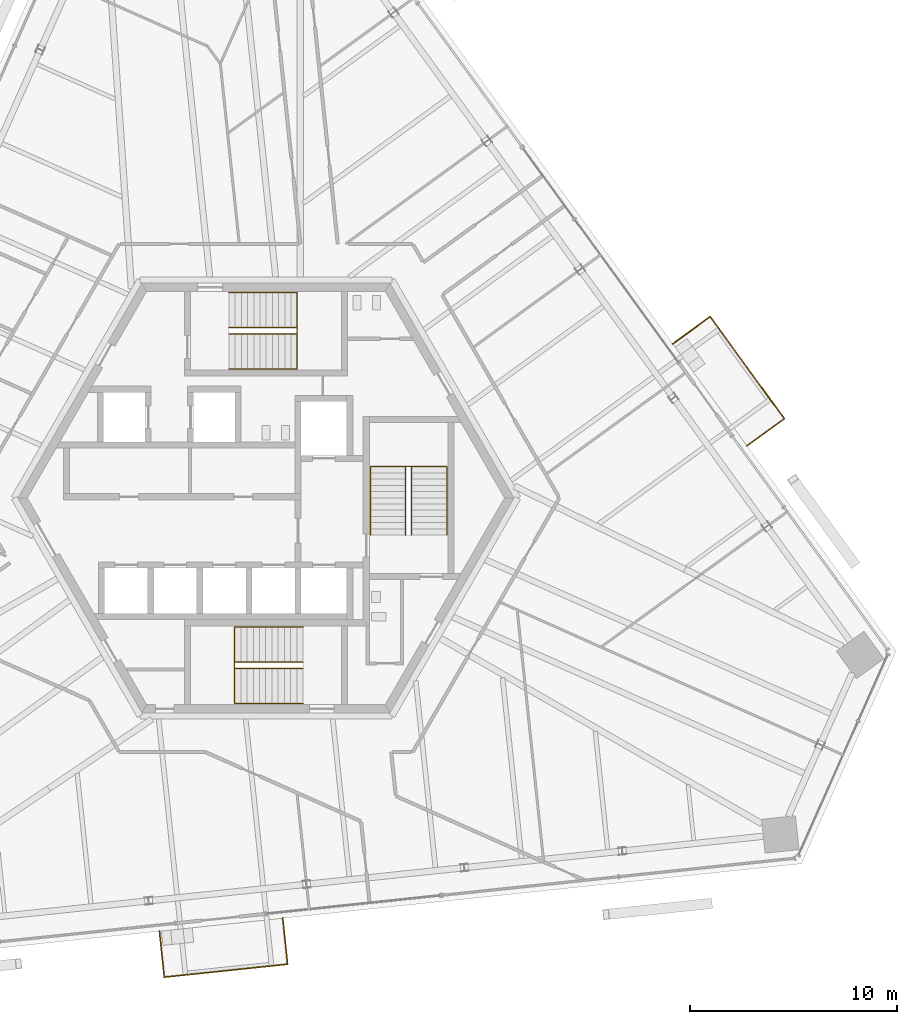
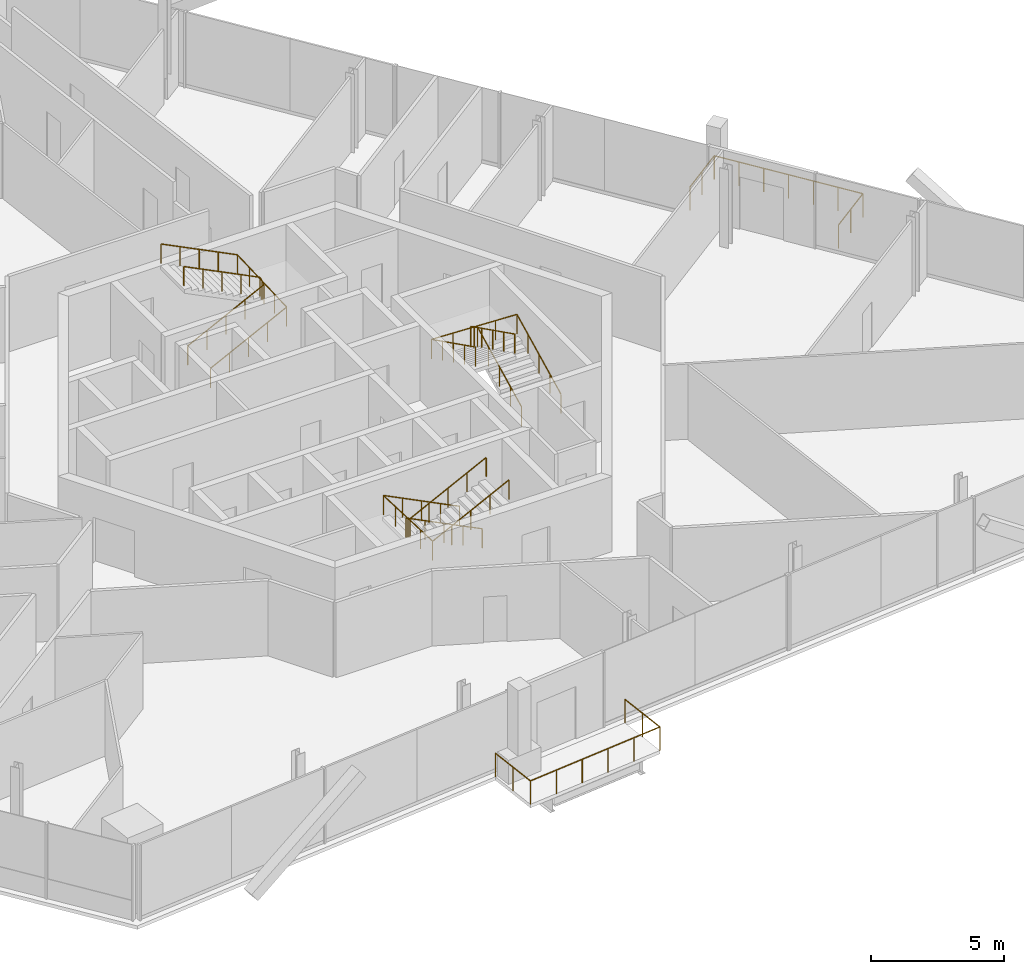
# One storey, part 16 of 19: 8 railings.
"""IFC4 building model written with IfcOpenShell, lengths in metres."""

from ifc_helpers import new_model, si_unit, direction, frame, origin, origin_2d, place, context, subcontext, project, spatial, circle, extrude, source, transform, mapped, material, type_object, element, save


model = new_model("IFC4")

# Units and contexts
model_context = context("Model", 3, precision=1e-05, world=origin(), true_north=direction((0.0, 1.0)))
body_context = subcontext(model_context, "Body", "Model", "MODEL_VIEW")
ifc_project = project(units=[si_unit("LENGTHUNIT", "METRE"), si_unit("AREAUNIT", "SQUARE_METRE"), si_unit("VOLUMEUNIT", "CUBIC_METRE"), si_unit("PLANEANGLEUNIT", "RADIAN"), si_unit("MASSUNIT", "GRAM", prefix="KILO")], contexts=[model_context])

# Site, building, storey
site_placement = place(None, origin())
site = spatial("IfcSite", under=ifc_project, at=site_placement, CompositionType="ELEMENT")
building_placement = place(site_placement, origin())
building = spatial("IfcBuilding", under=site, at=building_placement, Name="Triune Harvest Tower", CompositionType="ELEMENT")
storey_placement = place(building_placement, frame((0.0, 0.0, 223.300048828125)))
storey = spatial("IfcBuildingStorey", under=building, at=storey_placement, Name="L58", CompositionType="ELEMENT", Elevation=223.300048828125)

# Railings
ifc_material_1 = material(Name="Glass", Category="glass")
railing_type_1 = type_object("IfcRailingType", Name="GD-2 balcony guard 1100", PredefinedType="GUARDRAIL", material=ifc_material_1)
railing_1_placement = place(storey_placement, frame((23.263427734375, 2.52294921875, 0.0)))
element("IfcRailing", 1, at=railing_1_placement, inside=storey, type_object=railing_type_1, Name="Balcony guard B6-F1 L58.4", PredefinedType="GUARDRAIL", context=body_context, shape_type="SweptSolid", body=[
    extrude(circle(Radius=0.02392578125, at=origin_2d()), frame((0.0, 0.0, 1.076171875), z_axis=(0.809019457971, 0.587781861429, 0.0), x_axis=(-0.587781861429, 0.809019457971, 0.0)), (0.0, 0.0, 1.0), 2.234619140625),
    extrude(circle(Radius=0.02392578125, at=origin_2d()), frame((1.807861328125, 1.3134765625, 1.076171875), z_axis=(-0.587814656086, 0.808995630452, 0.0), x_axis=(-0.808995630452, -0.587814656086, 0.0)), (0.0, 0.0, 1.0), 6.099609375),
    extrude(circle(Radius=0.02392578125, at=origin_2d()), frame((-1.777587890625, 6.248046875, 1.076171875), z_axis=(-0.80903366712, -0.587762303544, 0.0), x_axis=(0.587762303544, -0.80903366712, 0.0)), (0.0, 0.0, 1.0), 2.234375),
    extrude(circle(Radius=0.02099609375, at=origin_2d()), origin(), (0.0, 0.0, 1.0), 1.052001953125),
    extrude(circle(Radius=0.02099609375, at=origin_2d()), frame((0.90380859375, 0.65673828125, 0.0)), (0.0, 0.0, 1.0), 1.052001953125),
    extrude(circle(Radius=0.02099609375, at=origin_2d()), frame((1.807861328125, 1.3134765625, 0.0)), (0.0, 0.0, 1.0), 1.052001953125),
    extrude(circle(Radius=0.02099609375, at=origin_2d()), frame((1.210205078125, 2.135986328125, 0.0)), (0.0, 0.0, 1.0), 1.052001953125),
    extrude(circle(Radius=0.02099609375, at=origin_2d()), frame((0.61279296875, 2.958251953125, 0.0)), (0.0, 0.0, 1.0), 1.052001953125),
    extrude(circle(Radius=0.02099609375, at=origin_2d()), frame((0.01513671875, 3.78076171875, 0.0)), (0.0, 0.0, 1.0), 1.052001953125),
    extrude(circle(Radius=0.02099609375, at=origin_2d()), frame((-0.58251953125, 4.603271484375, 0.0)), (0.0, 0.0, 1.0), 1.052001953125),
    extrude(circle(Radius=0.02099609375, at=origin_2d()), frame((-1.179931640625, 5.425537109375, 0.0)), (0.0, 0.0, 1.0), 1.052001953125),
    extrude(circle(Radius=0.02099609375, at=origin_2d()), frame((-1.777587890625, 6.248046875, 0.0)), (0.0, 0.0, 1.0), 1.052001953125),
    extrude(circle(Radius=0.02099609375, at=origin_2d()), frame((-2.681396484375, 5.59130859375, 0.0)), (0.0, 0.0, 1.0), 1.052001953125),
    extrude(circle(Radius=0.02099609375, at=origin_2d()), frame((-3.585205078125, 4.934814453125, 0.0)), (0.0, 0.0, 1.0), 1.052001953125),
])
ifc_material_2 = material(Name="Stainless steel AISI 316", Category="steel")
railing_type_2 = type_object("IfcRailingType", Name="Stair handrail", PredefinedType="HANDRAIL", material=ifc_material_2)
shared_shape_1 = source(origin(), body_context, "Body", "SweptSolid", [
    extrude(circle(Radius=0.02392578125, at=origin_2d()), frame((0.0, 0.0, 0.8759765625), z_axis=(0.894413956696, 0.0, 0.447240063129), x_axis=(0.0, 1.0, 0.0)), (0.0, 0.0, 1.0), 3.689697265625),
    extrude(circle(Radius=0.02392578125, at=origin_2d()), frame((3.300048828125, 0.0, 2.52587890625), z_axis=(0.0, 0.999180289278, 0.040481471304), x_axis=(-1.0, 0.0, 0.0)), (0.0, 0.0, 1.0), 3.702880859375),
    extrude(circle(Radius=0.02392578125, at=origin_2d()), frame((3.300048828125, 3.699951171875, 2.67578125), z_axis=(-0.894440424912, 0.0, 0.447187126696), x_axis=(0.0, -1.0, 0.0)), (0.0, 0.0, 1.0), 3.689453125),
    extrude(circle(Radius=0.02099609375, at=origin_2d()), origin(), (0.0, 0.0, 1.0), 0.851806640625),
    extrude(circle(Radius=0.02099609375, at=origin_2d()), frame((0.824951171875, 0.0, 0.41259765625)), (0.0, 0.0, 1.0), 0.851806640625),
    extrude(circle(Radius=0.02099609375, at=origin_2d()), frame((1.64990234375, 0.0, 0.8251953125)), (0.0, 0.0, 1.0), 0.851806640625),
    extrude(circle(Radius=0.02099609375, at=origin_2d()), frame((2.47509765625, 0.0, 1.237548828125)), (0.0, 0.0, 1.0), 0.851806640625),
    extrude(circle(Radius=0.02099609375, at=origin_2d()), frame((3.300048828125, 0.0, 1.650146484375)), (0.0, 0.0, 1.0), 0.851806640625),
    extrude(circle(Radius=0.02099609375, at=origin_2d()), frame((3.300048828125, 0.925048828125, 1.6875)), (0.0, 0.0, 1.0), 0.851806640625),
    extrude(circle(Radius=0.02099609375, at=origin_2d()), frame((3.300048828125, 1.85009765625, 1.72509765625)), (0.0, 0.0, 1.0), 0.851806640625),
    extrude(circle(Radius=0.02099609375, at=origin_2d()), frame((3.300048828125, 2.77490234375, 1.7626953125)), (0.0, 0.0, 1.0), 0.851806640625),
    extrude(circle(Radius=0.02099609375, at=origin_2d()), frame((3.300048828125, 3.699951171875, 1.800048828125)), (0.0, 0.0, 1.0), 0.851806640625),
    extrude(circle(Radius=0.02099609375, at=origin_2d()), frame((2.47509765625, 3.699951171875, 2.21240234375)), (0.0, 0.0, 1.0), 0.851806640625),
    extrude(circle(Radius=0.02099609375, at=origin_2d()), frame((1.64990234375, 3.699951171875, 2.625)), (0.0, 0.0, 1.0), 0.851806640625),
    extrude(circle(Radius=0.02099609375, at=origin_2d()), frame((0.824951171875, 3.699951171875, 3.03759765625)), (0.0, 0.0, 1.0), 0.851806640625),
    extrude(circle(Radius=0.02099609375, at=origin_2d()), frame((0.0, 3.699951171875, 3.449951171875)), (0.0, 0.0, 1.0), 0.851806640625),
])
railing_2_placement = place(storey_placement, frame((-1.7900390625, 6.239990234375, 0.14990234375)))
element("IfcRailing", 2, at=railing_2_placement, inside=storey, type_object=railing_type_2, Name="Exit stair north wall handrail", PredefinedType="HANDRAIL", context=body_context, shape_type="MappedRepresentation", body=[
    mapped(shared_shape_1, transform((0.0, 0.0, 0.0), scale=1.0)),
])
shared_shape_2 = source(origin(), body_context, "Body", "SweptSolid", [
    extrude(circle(Radius=0.02392578125, at=origin_2d()), frame((0.0, 0.0, 0.8759765625), z_axis=(0.894413956696, 0.0, 0.447240063129), x_axis=(0.0, 1.0, 0.0)), (0.0, 0.0, 1.0), 3.689697265625),
    extrude(circle(Radius=0.02392578125, at=origin_2d()), frame((3.300048828125, 0.0, 2.52587890625), z_axis=(0.0, 0.894572720946, 0.446922417137), x_axis=(-1.0, 0.0, 0.0)), (0.0, 0.0, 1.0), 0.33544921875),
    extrude(circle(Radius=0.02392578125, at=origin_2d()), frame((3.300048828125, 0.300048828125, 2.67578125), z_axis=(-0.894440424912, 0.0, 0.447187126696), x_axis=(0.0, -1.0, 0.0)), (0.0, 0.0, 1.0), 3.689453125),
    extrude(circle(Radius=0.02099609375, at=origin_2d()), origin(), (0.0, 0.0, 1.0), 0.851806640625),
    extrude(circle(Radius=0.02099609375, at=origin_2d()), frame((0.824951171875, 0.0, 0.41259765625)), (0.0, 0.0, 1.0), 0.851806640625),
    extrude(circle(Radius=0.02099609375, at=origin_2d()), frame((1.64990234375, 0.0, 0.8251953125)), (0.0, 0.0, 1.0), 0.851806640625),
    extrude(circle(Radius=0.02099609375, at=origin_2d()), frame((2.47509765625, 0.0, 1.237548828125)), (0.0, 0.0, 1.0), 0.851806640625),
    extrude(circle(Radius=0.02099609375, at=origin_2d()), frame((3.300048828125, 0.0, 1.650146484375)), (0.0, 0.0, 1.0), 0.851806640625),
    extrude(circle(Radius=0.02099609375, at=origin_2d()), frame((3.300048828125, 0.300048828125, 1.800048828125)), (0.0, 0.0, 1.0), 0.851806640625),
    extrude(circle(Radius=0.02099609375, at=origin_2d()), frame((2.47509765625, 0.300048828125, 2.21240234375)), (0.0, 0.0, 1.0), 0.851806640625),
    extrude(circle(Radius=0.02099609375, at=origin_2d()), frame((1.64990234375, 0.300048828125, 2.625)), (0.0, 0.0, 1.0), 0.851806640625),
    extrude(circle(Radius=0.02099609375, at=origin_2d()), frame((0.824951171875, 0.300048828125, 3.03759765625)), (0.0, 0.0, 1.0), 0.851806640625),
    extrude(circle(Radius=0.02099609375, at=origin_2d()), frame((0.0, 0.300048828125, 3.449951171875)), (0.0, 0.0, 1.0), 0.851806640625),
])
railing_3_placement = place(storey_placement, frame((-1.7900390625, 7.93994140625, 0.14990234375)))
element("IfcRailing", 3, at=railing_3_placement, inside=storey, type_object=railing_type_2, Name="Exit stair north centre handrail", PredefinedType="HANDRAIL", context=body_context, shape_type="MappedRepresentation", body=[
    mapped(shared_shape_2, transform((0.0, 0.0, 0.0), scale=1.0)),
])
shared_shape_3 = source(origin(), body_context, "Body", "SweptSolid", [
    extrude(circle(Radius=0.02392578125, at=origin_2d()), frame((0.0, 0.0, 0.8759765625), z_axis=(-0.894413956696, 0.0, 0.447240063129), x_axis=(0.0, -1.0, 0.0)), (0.0, 0.0, 1.0), 3.689697265625),
    extrude(circle(Radius=0.02392578125, at=origin_2d()), frame((-3.300048828125, 0.0, 2.52587890625), z_axis=(0.0, -0.999180289278, 0.040481471304), x_axis=(1.0, 0.0, 0.0)), (0.0, 0.0, 1.0), 3.702880859375),
    extrude(circle(Radius=0.02392578125, at=origin_2d()), frame((-3.300048828125, -3.699951171875, 2.67578125), z_axis=(0.894440424912, 0.0, 0.447187126696), x_axis=(0.0, 1.0, 0.0)), (0.0, 0.0, 1.0), 3.689453125),
    extrude(circle(Radius=0.02099609375, at=origin_2d()), origin(), (0.0, 0.0, 1.0), 0.851806640625),
    extrude(circle(Radius=0.02099609375, at=origin_2d()), frame((-0.824951171875, 0.0, 0.41259765625)), (0.0, 0.0, 1.0), 0.851806640625),
    extrude(circle(Radius=0.02099609375, at=origin_2d()), frame((-1.64990234375, 0.0, 0.8251953125)), (0.0, 0.0, 1.0), 0.851806640625),
    extrude(circle(Radius=0.02099609375, at=origin_2d()), frame((-2.47509765625, 0.0, 1.237548828125)), (0.0, 0.0, 1.0), 0.851806640625),
    extrude(circle(Radius=0.02099609375, at=origin_2d()), frame((-3.300048828125, 0.0, 1.650146484375)), (0.0, 0.0, 1.0), 0.851806640625),
    extrude(circle(Radius=0.02099609375, at=origin_2d()), frame((-3.300048828125, -0.925048828125, 1.6875)), (0.0, 0.0, 1.0), 0.851806640625),
    extrude(circle(Radius=0.02099609375, at=origin_2d()), frame((-3.300048828125, -1.85009765625, 1.72509765625)), (0.0, 0.0, 1.0), 0.851806640625),
    extrude(circle(Radius=0.02099609375, at=origin_2d()), frame((-3.300048828125, -2.77490234375, 1.7626953125)), (0.0, 0.0, 1.0), 0.851806640625),
    extrude(circle(Radius=0.02099609375, at=origin_2d()), frame((-3.300048828125, -3.699951171875, 1.800048828125)), (0.0, 0.0, 1.0), 0.851806640625),
    extrude(circle(Radius=0.02099609375, at=origin_2d()), frame((-2.47509765625, -3.699951171875, 2.21240234375)), (0.0, 0.0, 1.0), 0.851806640625),
    extrude(circle(Radius=0.02099609375, at=origin_2d()), frame((-1.64990234375, -3.699951171875, 2.625)), (0.0, 0.0, 1.0), 0.851806640625),
    extrude(circle(Radius=0.02099609375, at=origin_2d()), frame((-0.824951171875, -3.699951171875, 3.03759765625)), (0.0, 0.0, 1.0), 0.851806640625),
    extrude(circle(Radius=0.02099609375, at=origin_2d()), frame((0.0, -3.699951171875, 3.449951171875)), (0.0, 0.0, 1.0), 0.851806640625),
])
railing_4_placement = place(storey_placement, frame((1.7900390625, -6.239990234375, 0.14990234375)))
element("IfcRailing", 4, at=railing_4_placement, inside=storey, type_object=railing_type_2, Name="Exit stair south wall handrail", PredefinedType="HANDRAIL", context=body_context, shape_type="MappedRepresentation", body=[
    mapped(shared_shape_3, transform((0.0, 0.0, 0.0), scale=1.0)),
])
shared_shape_4 = source(origin(), body_context, "Body", "SweptSolid", [
    extrude(circle(Radius=0.02392578125, at=origin_2d()), frame((0.0, 0.0, 0.8759765625), z_axis=(-0.894413956696, 0.0, 0.447240063129), x_axis=(0.0, -1.0, 0.0)), (0.0, 0.0, 1.0), 3.689697265625),
    extrude(circle(Radius=0.02392578125, at=origin_2d()), frame((-3.300048828125, 0.0, 2.52587890625), z_axis=(0.0, -0.894572720946, 0.446922417137), x_axis=(1.0, 0.0, 0.0)), (0.0, 0.0, 1.0), 0.33544921875),
    extrude(circle(Radius=0.02392578125, at=origin_2d()), frame((-3.300048828125, -0.300048828125, 2.67578125), z_axis=(0.894440424912, 0.0, 0.447187126696), x_axis=(0.0, 1.0, 0.0)), (0.0, 0.0, 1.0), 3.689453125),
    extrude(circle(Radius=0.02099609375, at=origin_2d()), origin(), (0.0, 0.0, 1.0), 0.851806640625),
    extrude(circle(Radius=0.02099609375, at=origin_2d()), frame((-0.824951171875, 0.0, 0.41259765625)), (0.0, 0.0, 1.0), 0.851806640625),
    extrude(circle(Radius=0.02099609375, at=origin_2d()), frame((-1.64990234375, 0.0, 0.8251953125)), (0.0, 0.0, 1.0), 0.851806640625),
    extrude(circle(Radius=0.02099609375, at=origin_2d()), frame((-2.47509765625, 0.0, 1.237548828125)), (0.0, 0.0, 1.0), 0.851806640625),
    extrude(circle(Radius=0.02099609375, at=origin_2d()), frame((-3.300048828125, 0.0, 1.650146484375)), (0.0, 0.0, 1.0), 0.851806640625),
    extrude(circle(Radius=0.02099609375, at=origin_2d()), frame((-3.300048828125, -0.300048828125, 1.800048828125)), (0.0, 0.0, 1.0), 0.851806640625),
    extrude(circle(Radius=0.02099609375, at=origin_2d()), frame((-2.47509765625, -0.300048828125, 2.21240234375)), (0.0, 0.0, 1.0), 0.851806640625),
    extrude(circle(Radius=0.02099609375, at=origin_2d()), frame((-1.64990234375, -0.300048828125, 2.625)), (0.0, 0.0, 1.0), 0.851806640625),
    extrude(circle(Radius=0.02099609375, at=origin_2d()), frame((-0.824951171875, -0.300048828125, 3.03759765625)), (0.0, 0.0, 1.0), 0.851806640625),
    extrude(circle(Radius=0.02099609375, at=origin_2d()), frame((0.0, -0.300048828125, 3.449951171875)), (0.0, 0.0, 1.0), 0.851806640625),
])
railing_5_placement = place(storey_placement, frame((1.7900390625, -7.93994140625, 0.14990234375)))
element("IfcRailing", 5, at=railing_5_placement, inside=storey, type_object=railing_type_2, Name="Exit stair south centre handrail", PredefinedType="HANDRAIL", context=body_context, shape_type="MappedRepresentation", body=[
    mapped(shared_shape_4, transform((0.0, 0.0, 0.0), scale=1.0)),
])
shared_shape_5 = source(origin(), body_context, "Body", "SweptSolid", [
    extrude(circle(Radius=0.02392578125, at=origin_2d()), frame((0.0, 0.0, 0.8759765625), z_axis=(0.0, 0.894413956696, 0.447240063129), x_axis=(-1.0, 0.0, 0.0)), (0.0, 0.0, 1.0), 3.689697265625),
    extrude(circle(Radius=0.02392578125, at=origin_2d()), frame((0.0, 3.300048828125, 2.52587890625), z_axis=(-0.999180289278, 0.0, 0.040481471304), x_axis=(0.0, -1.0, 0.0)), (0.0, 0.0, 1.0), 3.702880859375),
    extrude(circle(Radius=0.02392578125, at=origin_2d()), frame((-3.699951171875, 3.300048828125, 2.67578125), z_axis=(0.0, -0.894440424912, 0.447187126696), x_axis=(1.0, 0.0, 0.0)), (0.0, 0.0, 1.0), 3.689453125),
    extrude(circle(Radius=0.02099609375, at=origin_2d()), origin(), (0.0, 0.0, 1.0), 0.851806640625),
    extrude(circle(Radius=0.02099609375, at=origin_2d()), frame((0.0, 0.824951171875, 0.41259765625)), (0.0, 0.0, 1.0), 0.851806640625),
    extrude(circle(Radius=0.02099609375, at=origin_2d()), frame((0.0, 1.64990234375, 0.8251953125)), (0.0, 0.0, 1.0), 0.851806640625),
    extrude(circle(Radius=0.02099609375, at=origin_2d()), frame((0.0, 2.47509765625, 1.237548828125)), (0.0, 0.0, 1.0), 0.851806640625),
    extrude(circle(Radius=0.02099609375, at=origin_2d()), frame((0.0, 3.300048828125, 1.650146484375)), (0.0, 0.0, 1.0), 0.851806640625),
    extrude(circle(Radius=0.02099609375, at=origin_2d()), frame((-0.925048828125, 3.300048828125, 1.6875)), (0.0, 0.0, 1.0), 0.851806640625),
    extrude(circle(Radius=0.02099609375, at=origin_2d()), frame((-1.85009765625, 3.300048828125, 1.72509765625)), (0.0, 0.0, 1.0), 0.851806640625),
    extrude(circle(Radius=0.02099609375, at=origin_2d()), frame((-2.77490234375, 3.300048828125, 1.7626953125)), (0.0, 0.0, 1.0), 0.851806640625),
    extrude(circle(Radius=0.02099609375, at=origin_2d()), frame((-3.699951171875, 3.300048828125, 1.800048828125)), (0.0, 0.0, 1.0), 0.851806640625),
    extrude(circle(Radius=0.02099609375, at=origin_2d()), frame((-3.699951171875, 2.47509765625, 2.21240234375)), (0.0, 0.0, 1.0), 0.851806640625),
    extrude(circle(Radius=0.02099609375, at=origin_2d()), frame((-3.699951171875, 1.64990234375, 2.625)), (0.0, 0.0, 1.0), 0.851806640625),
    extrude(circle(Radius=0.02099609375, at=origin_2d()), frame((-3.699951171875, 0.824951171875, 3.03759765625)), (0.0, 0.0, 1.0), 0.851806640625),
    extrude(circle(Radius=0.02099609375, at=origin_2d()), frame((-3.699951171875, 0.0, 3.449951171875)), (0.0, 0.0, 1.0), 0.851806640625),
])
railing_6_placement = place(storey_placement, frame((8.75, -1.7900390625, 0.14990234375)))
element("IfcRailing", 6, at=railing_6_placement, inside=storey, type_object=railing_type_2, Name="Exit stair east wall handrail", PredefinedType="HANDRAIL", context=body_context, shape_type="MappedRepresentation", body=[
    mapped(shared_shape_5, transform((0.0, 0.0, 0.0), scale=1.0)),
])
shared_shape_6 = source(origin(), body_context, "Body", "SweptSolid", [
    extrude(circle(Radius=0.02392578125, at=origin_2d()), frame((0.0, 0.0, 0.8759765625), z_axis=(0.0, 0.894413956696, 0.447240063129), x_axis=(-1.0, 0.0, 0.0)), (0.0, 0.0, 1.0), 3.689697265625),
    extrude(circle(Radius=0.02392578125, at=origin_2d()), frame((0.0, 3.300048828125, 2.52587890625), z_axis=(-0.894572720946, 0.0, 0.446922417137), x_axis=(0.0, -1.0, 0.0)), (0.0, 0.0, 1.0), 0.33544921875),
    extrude(circle(Radius=0.02392578125, at=origin_2d()), frame((-0.300048828125, 3.300048828125, 2.67578125), z_axis=(0.0, -0.894440424912, 0.447187126696), x_axis=(1.0, 0.0, 0.0)), (0.0, 0.0, 1.0), 3.689453125),
    extrude(circle(Radius=0.02099609375, at=origin_2d()), origin(), (0.0, 0.0, 1.0), 0.851806640625),
    extrude(circle(Radius=0.02099609375, at=origin_2d()), frame((0.0, 0.824951171875, 0.41259765625)), (0.0, 0.0, 1.0), 0.851806640625),
    extrude(circle(Radius=0.02099609375, at=origin_2d()), frame((0.0, 1.64990234375, 0.8251953125)), (0.0, 0.0, 1.0), 0.851806640625),
    extrude(circle(Radius=0.02099609375, at=origin_2d()), frame((0.0, 2.47509765625, 1.237548828125)), (0.0, 0.0, 1.0), 0.851806640625),
    extrude(circle(Radius=0.02099609375, at=origin_2d()), frame((0.0, 3.300048828125, 1.650146484375)), (0.0, 0.0, 1.0), 0.851806640625),
    extrude(circle(Radius=0.02099609375, at=origin_2d()), frame((-0.300048828125, 3.300048828125, 1.800048828125)), (0.0, 0.0, 1.0), 0.851806640625),
    extrude(circle(Radius=0.02099609375, at=origin_2d()), frame((-0.300048828125, 2.47509765625, 2.21240234375)), (0.0, 0.0, 1.0), 0.851806640625),
    extrude(circle(Radius=0.02099609375, at=origin_2d()), frame((-0.300048828125, 1.64990234375, 2.625)), (0.0, 0.0, 1.0), 0.851806640625),
    extrude(circle(Radius=0.02099609375, at=origin_2d()), frame((-0.300048828125, 0.824951171875, 3.03759765625)), (0.0, 0.0, 1.0), 0.851806640625),
    extrude(circle(Radius=0.02099609375, at=origin_2d()), frame((-0.300048828125, 0.0, 3.449951171875)), (0.0, 0.0, 1.0), 0.851806640625),
])
railing_7_placement = place(storey_placement, frame((7.050048828125, -1.7900390625, 0.14990234375)))
element("IfcRailing", 7, at=railing_7_placement, inside=storey, type_object=railing_type_2, Name="Exit stair east centre handrail", PredefinedType="HANDRAIL", context=body_context, shape_type="MappedRepresentation", body=[
    mapped(shared_shape_6, transform((0.0, 0.0, 0.0), scale=1.0)),
])
shared_shape_7 = source(origin(), body_context, "Body", "SweptSolid", [
    extrude(circle(Radius=0.02392578125, at=origin_2d()), frame((0.0, 0.0, 1.076171875), z_axis=(0.104565342096, -0.994518018556, 0.0), x_axis=(0.994518018556, 0.104565342096, 0.0)), (0.0, 0.0, 1.0), 2.234375),
    extrude(circle(Radius=0.02392578125, at=origin_2d()), frame((0.233642578125, -2.22216796875, 1.076171875), z_axis=(0.994521271903, 0.104534394972, 0.0), x_axis=(-0.104534394972, 0.994521271903, 0.0)), (0.0, 0.0, 1.0), 6.0),
    extrude(circle(Radius=0.02392578125, at=origin_2d()), frame((6.20068359375, -1.594970703125, 1.076171875), z_axis=(-0.104565342096, 0.994518018556, 0.0), x_axis=(-0.994518018556, -0.104565342096, 0.0)), (0.0, 0.0, 1.0), 2.234375),
    extrude(circle(Radius=0.02099609375, at=origin_2d()), origin(), (0.0, 0.0, 1.0), 1.052001953125),
    extrude(circle(Radius=0.02099609375, at=origin_2d()), frame((0.11669921875, -1.111083984375, 0.0)), (0.0, 0.0, 1.0), 1.052001953125),
    extrude(circle(Radius=0.02099609375, at=origin_2d()), frame((0.233642578125, -2.22216796875, 0.0)), (0.0, 0.0, 1.0), 1.052001953125),
    extrude(circle(Radius=0.02099609375, at=origin_2d()), frame((1.427001953125, -2.0966796875, 0.0)), (0.0, 0.0, 1.0), 1.052001953125),
    extrude(circle(Radius=0.02099609375, at=origin_2d()), frame((2.620361328125, -1.97119140625, 0.0)), (0.0, 0.0, 1.0), 1.052001953125),
    extrude(circle(Radius=0.02099609375, at=origin_2d()), frame((3.81396484375, -1.845947265625, 0.0)), (0.0, 0.0, 1.0), 1.052001953125),
    extrude(circle(Radius=0.02099609375, at=origin_2d()), frame((5.00732421875, -1.720458984375, 0.0)), (0.0, 0.0, 1.0), 1.052001953125),
    extrude(circle(Radius=0.02099609375, at=origin_2d()), frame((6.20068359375, -1.594970703125, 0.0)), (0.0, 0.0, 1.0), 1.052001953125),
    extrude(circle(Radius=0.02099609375, at=origin_2d()), frame((6.083984375, -0.48388671875, 0.0)), (0.0, 0.0, 1.0), 1.052001953125),
    extrude(circle(Radius=0.02099609375, at=origin_2d()), frame((5.967041015625, 0.627197265625, 0.0)), (0.0, 0.0, 1.0), 1.052001953125),
])
railing_8_placement = place(storey_placement, frame((-5.154052734375, -20.95703125, 0.0)))
element("IfcRailing", 8, at=railing_8_placement, inside=storey, type_object=railing_type_1, Name="Balcony guard B6-F5 L58.5", PredefinedType="GUARDRAIL", context=body_context, shape_type="MappedRepresentation", body=[
    mapped(shared_shape_7, transform((0.0, 0.0, 0.0), scale=1.0)),
])

save(model, "model.ifc")
